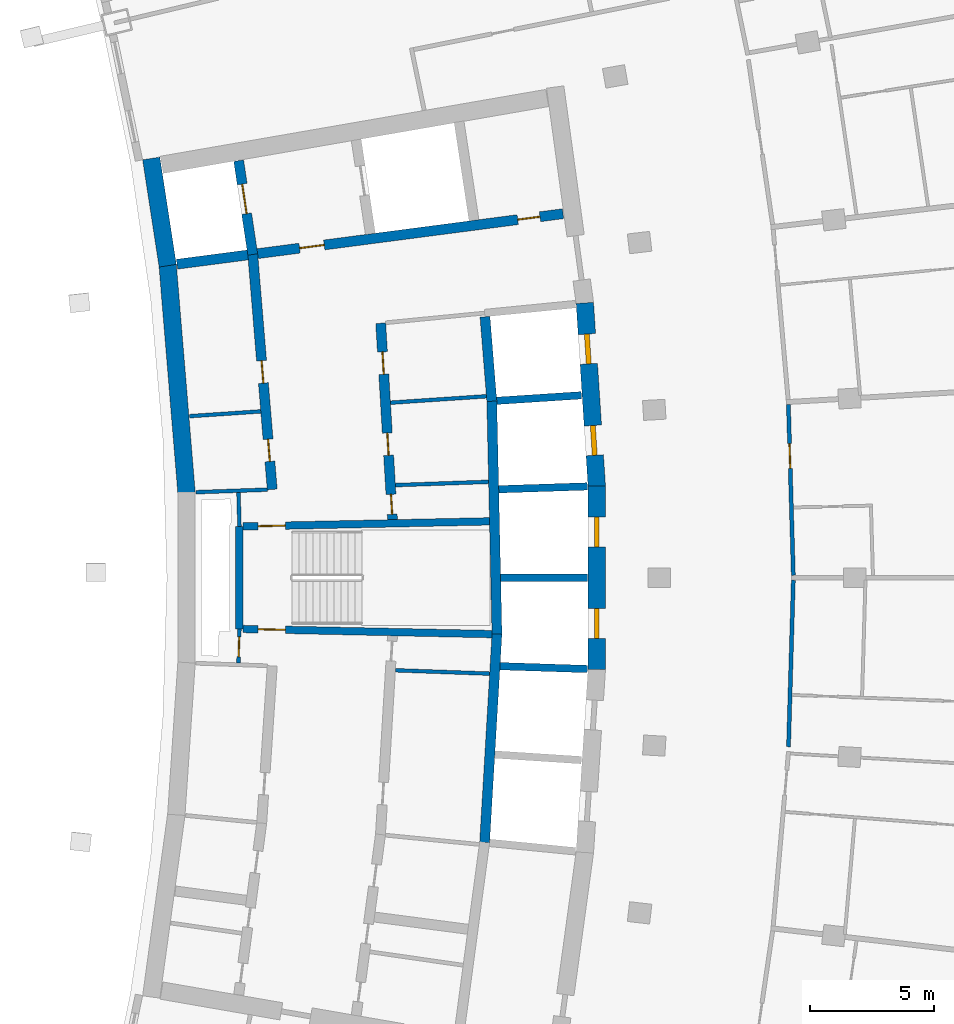
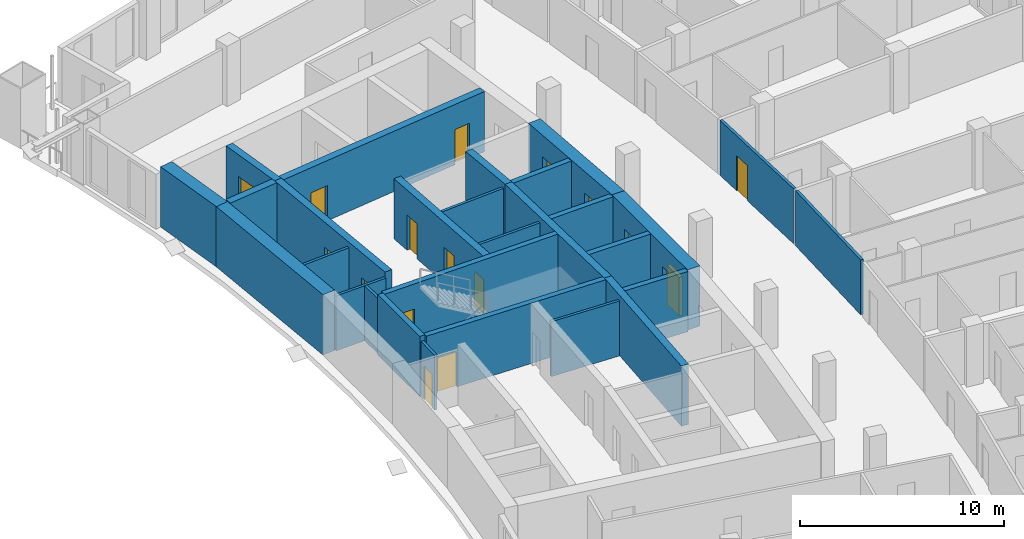
# One storey, part 13 of 20: 28 walls, 16 doors, 16 openings.
"""IFC4 building model written with IfcOpenShell, lengths in metres."""

from ifc_helpers import new_model, si_unit, direction, frame, frame_2d, origin, place, context, subcontext, project, spatial, rectangle, extrude, material, layer, layer_set, type_object, element, fill, save


model = new_model("IFC4")

# Units and contexts
model_context = context("Model", 3, precision=1e-05, world=origin(), true_north=direction((0.0, 1.0)))
body_context = subcontext(model_context, "Body", "Model", "MODEL_VIEW")
ifc_project = project(units=[si_unit("LENGTHUNIT", "METRE"), si_unit("AREAUNIT", "SQUARE_METRE"), si_unit("VOLUMEUNIT", "CUBIC_METRE"), si_unit("PLANEANGLEUNIT", "RADIAN"), si_unit("MASSUNIT", "GRAM", prefix="KILO")], contexts=[model_context])

# Site, building, storey
site_placement = place(None, origin())
site = spatial("IfcSite", under=ifc_project, at=site_placement, CompositionType="ELEMENT")
building_placement = place(site_placement, origin())
building = spatial("IfcBuilding", under=site, at=building_placement, Name="Alderwake Tower", CompositionType="ELEMENT")
storey_placement = place(building_placement, frame((0.0, 0.0, 167.60009765625)))
storey = spatial("IfcBuildingStorey", under=building, at=storey_placement, Name="L41", CompositionType="ELEMENT", Elevation=167.60009765625)

# Walls
ifc_material_1 = material(Name="Gypsum shaft wall system, rated")
ifc_layer_1 = layer(ifc_material_1, 0.14990234375)
ifc_layer_set_1 = layer_set([ifc_layer_1], Name="Core riser partition 150")
wall_type_1 = type_object("IfcWallType", Name="Core riser partition 150", PredefinedType="PARTITIONING", material=ifc_layer_set_1)
wall_1_placement = place(storey_placement, frame((25.1904296875, 57.276611328125, 0.0), z_axis=(0.0, 0.0, 1.0), x_axis=(0.999373547283, -0.03539086028, 0.0)))
element("IfcWall", 1, at=wall_1_placement, inside=storey, type_object=wall_type_1, Name="CW/L41/PR-37_+86", PredefinedType="PARTITIONING", context=body_context, shape_type="SweptSolid", body=[
    extrude(rectangle(XDim=3.794189453125, YDim=0.14990234375, at=frame_2d((1.89697265625, 0.0))), origin(), (0.0, 0.0, 1.0), 3.27978515625),
])
wall_2_placement = place(storey_placement, frame((25.191162109375, 64.723388671875, 0.0), z_axis=(0.0, 0.0, 1.0), x_axis=(0.999373256208, 0.035399078746, 0.0)))
element("IfcWall", 2, at=wall_2_placement, inside=storey, type_object=wall_type_1, Name="CW/L41/PR+37_+86", PredefinedType="PARTITIONING", context=body_context, shape_type="SweptSolid", body=[
    extrude(rectangle(XDim=3.751953125, YDim=0.14990234375, at=frame_2d((1.8759765625, 0.0))), origin(), (0.0, 0.0, 1.0), 3.27978515625),
])

# Wall, opening, door
ifc_material_2 = material(Name="Gypsum shaft wall system, rated")
ifc_layer_2 = layer(ifc_material_2, 0.14990234375)
ifc_layer_set_2 = layer_set([ifc_layer_2], Name="Core room partition 150")
wall_type_2 = type_object("IfcWallType", Name="Core room partition 150", PredefinedType="PARTITIONING", material=ifc_layer_set_2)
wall_3_placement = place(storey_placement, frame((18.918701171875, 58.94384765625, 0.0), z_axis=(0.0, 0.0, 1.0), x_axis=(-0.027811602725, -0.999613182563, 0.0)))
wall_3 = element("IfcWall", 3, at=wall_3_placement, inside=storey, type_object=wall_type_2, Name="CW/L41/PA+24_-37", PredefinedType="PARTITIONING", context=body_context, shape_type="SweptSolid", body=[
    extrude(rectangle(XDim=1.369384765625, YDim=0.14990234375, at=frame_2d((0.6845703125, 0.0))), origin(), (0.0, 0.0, 1.0), 3.27978515625),
])
opening_1_placement = place(wall_3_placement, frame((0.322998046875, 0.0, 0.0)))
opening_1 = element("IfcOpeningElement", 4, at=opening_1_placement, cuts=wall_3, Name="Opening C004", PredefinedType="OPENING", context=body_context, shape_type="SweptSolid", body=[
    extrude(rectangle(XDim=0.800048828125, YDim=2.0, at=frame_2d((0.39990234375, 1.0))), frame((0.0, 0.0849609375, 0.0), z_axis=(0.0, -1.0, 0.0), x_axis=(1.0, 0.0, 0.0)), (0.0, 0.0, 1.0), 0.169921875),
])
ifc_material_3 = material(Name="Painted steel leaf, rated", Category="steel")
door_type_1 = type_object("IfcDoorType", Name="Riser access door 800", OperationType="SINGLE_SWING_LEFT", PredefinedType="DOOR", material=ifc_material_3)
door_1_placement = place(opening_1_placement, origin())
door_1 = element("IfcDoor", 5, at=door_1_placement, inside=storey, type_object=door_type_1, Name="Riser access door", OperationType="SINGLE_SWING_RIGHT", OverallHeight=2.0, OverallWidth=0.800048828125, PredefinedType="DOOR", context=body_context, shape_type="SweptSolid", body=[
    extrude(rectangle(XDim=0.800048828125, YDim=2.0, at=frame_2d((0.39990234375, 1.0))), frame((0.0, 0.02490234375, 0.0), z_axis=(0.0, -1.0, 0.0), x_axis=(1.0, 0.0, 0.0)), (0.0, 0.0, 1.0), 0.050048828125),
])
fill(opening_1, door_1)

# Walls
wall_4_placement = place(storey_placement, frame((18.918701171875, 63.05517578125, 0.0), z_axis=(0.0, 0.0, 1.0), x_axis=(-0.027791791559, 0.99961373356, 0.0)))
element("IfcWall", 6, at=wall_4_placement, inside=storey, type_object=wall_type_2, Name="CW/L41/PA+24_+22", PredefinedType="PARTITIONING", context=body_context, shape_type="SweptSolid", body=[
    extrude(rectangle(XDim=1.370361328125, YDim=0.14990234375, at=frame_2d((0.68505859375, 0.0))), origin(), (0.0, 0.0, 1.0), 3.27978515625),
])
wall_5_placement = place(storey_placement, frame((17.16943359375, 64.439453125, 0.0), z_axis=(0.0, 0.0, 1.0), x_axis=(0.999373431798, 0.035394121201, 0.0)))
element("IfcWall", 7, at=wall_5_placement, inside=storey, type_object=wall_type_2, Name="CW/L41/PR+37_+0", PredefinedType="PARTITIONING", context=body_context, shape_type="SweptSolid", body=[
    extrude(rectangle(XDim=2.869384765625, YDim=0.14990234375, at=frame_2d((1.4345703125, 0.0))), origin(), (0.0, 0.0, 1.0), 3.27978515625),
])
wall_6_placement = place(storey_placement, frame((16.916015625, 67.497314453125, 0.0), z_axis=(0.0, 0.0, 1.0), x_axis=(0.997762488798, 0.066858177867, 0.0)))
element("IfcWall", 8, at=wall_6_placement, inside=storey, type_object=wall_type_2, Name="CW/L41/PR+70_+0", PredefinedType="PARTITIONING", context=body_context, shape_type="SweptSolid", body=[
    extrude(rectangle(XDim=2.866455078125, YDim=0.14990234375, at=frame_2d((1.43310546875, 0.0))), origin(), (0.0, 0.0, 1.0), 3.27978515625),
])
wall_7_placement = place(storey_placement, frame((24.992431640625, 68.038818359375, 0.0), z_axis=(0.0, 0.0, 1.0), x_axis=(0.997760236964, 0.066891774789, 0.0)))
element("IfcWall", 9, at=wall_7_placement, inside=storey, type_object=wall_type_2, Name="CW/L41/PR+70_+86", PredefinedType="PARTITIONING", context=body_context, shape_type="SweptSolid", body=[
    extrude(rectangle(XDim=3.86865234375, YDim=0.14990234375, at=frame_2d((1.934326171875, 0.0))), origin(), (0.0, 0.0, 1.0), 3.27978515625),
])
ifc_material_4 = material(Name="Concrete C70/85", Category="concrete")
ifc_layer_3 = layer(ifc_material_4, 0.699951171875)
ifc_layer_set_3 = layer_set([ifc_layer_3], Name="Core wall outer 700 C70-85")
wall_type_3 = type_object("IfcWallType", Name="Core wall outer 700 C70-85", PredefinedType="SHEAR", material=ifc_layer_set_3)
wall_8_placement = place(storey_placement, frame((16.79052734375, 64.4111328125, 0.0), z_axis=(0.0, 0.0, 1.0), x_axis=(-0.082616907099, 0.996581379849, 0.0)))
element("IfcWall", 10, at=wall_8_placement, inside=storey, type_object=wall_type_3, Name="Core wall CW.040", PredefinedType="SHEAR", context=body_context, shape_type="SweptSolid", body=[
    extrude(rectangle(XDim=9.193359375, YDim=0.699951171875, at=frame_2d((4.5966796875, 0.0))), origin(), (0.0, 0.0, 1.0), 3.599853515625),
])
wall_9_placement = place(storey_placement, frame((16.033935546875, 73.547607421875, 0.0), z_axis=(0.0, 0.0, 1.0), x_axis=(-0.151897483467, 0.988396253795, 0.0)))
element("IfcWall", 11, at=wall_9_placement, inside=storey, type_object=wall_type_3, Name="Core wall CW.039", PredefinedType="SHEAR", context=body_context, shape_type="SweptSolid", body=[
    extrude(rectangle(XDim=4.365234375, YDim=0.699951171875, at=frame_2d((2.1826171875, 0.0))), origin(), (0.0, 0.0, 1.0), 3.599853515625),
])

# Wall, openings, doors
wall_10_placement = place(storey_placement, frame((33.2900390625, 57.30322265625, 0.0), z_axis=(0.0, 0.0, 1.0), x_axis=(0.0, 1.0, 0.0)))
wall_10 = element("IfcWall", 12, at=wall_10_placement, inside=storey, type_object=wall_type_3, Name="Core wall CW.013", PredefinedType="SHEAR", context=body_context, shape_type="SweptSolid", body=[
    extrude(rectangle(XDim=7.3935546875, YDim=0.699951171875, at=frame_2d((3.69677734375, 0.0))), origin(), (0.0, 0.0, 1.0), 3.599853515625),
])
opening_2_placement = place(wall_10_placement, frame((1.254150390625, 0.0, 0.0)))
opening_2 = element("IfcOpeningElement", 13, at=opening_2_placement, cuts=wall_10, Name="Opening LD-HP3", PredefinedType="OPENING", context=body_context, shape_type="SweptSolid", body=[
    extrude(rectangle(XDim=1.199951171875, YDim=2.300048828125, at=frame_2d((0.60009765625, 1.14990234375))), frame((0.0, 0.35986328125, 0.0), z_axis=(0.0, -1.0, 0.0), x_axis=(1.0, 0.0, 0.0)), (0.0, 0.0, 1.0), 0.719970703125),
])
opening_3_placement = place(wall_10_placement, frame((4.939208984375, 0.0, 0.0)))
opening_3 = element("IfcOpeningElement", 14, at=opening_3_placement, cuts=wall_10, Name="Opening LD-HP4", PredefinedType="OPENING", context=body_context, shape_type="SweptSolid", body=[
    extrude(rectangle(XDim=1.199951171875, YDim=2.300048828125, at=frame_2d((0.60009765625, 1.14990234375))), frame((0.0, 0.35986328125, 0.0), z_axis=(0.0, -1.0, 0.0), x_axis=(1.0, 0.0, 0.0)), (0.0, 0.0, 1.0), 0.719970703125),
])
ifc_material_5 = material(Name="Stainless steel sliding leaf", Category="steel")
door_type_2 = type_object("IfcDoorType", Name="Lift landing door 1200", OperationType="SLIDING_TO_LEFT", PredefinedType="DOOR", material=ifc_material_5)
door_2_placement = place(opening_2_placement, origin())
door_2 = element("IfcDoor", 15, at=door_2_placement, inside=storey, type_object=door_type_2, Name="Lift landing door HP3", OperationType="SLIDING_TO_LEFT", OverallHeight=2.300048828125, OverallWidth=1.199951171875, PredefinedType="DOOR", context=body_context, shape_type="SweptSolid", body=[
    extrude(rectangle(XDim=1.199951171875, YDim=2.300048828125, at=frame_2d((0.60009765625, 1.14990234375))), frame((0.0, 0.10009765625, 0.0), z_axis=(0.0, -1.0, 0.0), x_axis=(1.0, 0.0, 0.0)), (0.0, 0.0, 1.0), 0.199951171875),
])
fill(opening_2, door_2)
door_3_placement = place(opening_3_placement, origin())
door_3 = element("IfcDoor", 16, at=door_3_placement, inside=storey, type_object=door_type_2, Name="Lift landing door HP4", OperationType="SLIDING_TO_LEFT", OverallHeight=2.300048828125, OverallWidth=1.199951171875, PredefinedType="DOOR", context=body_context, shape_type="SweptSolid", body=[
    extrude(rectangle(XDim=1.199951171875, YDim=2.300048828125, at=frame_2d((0.60009765625, 1.14990234375))), frame((0.0, 0.10009765625, 0.0), z_axis=(0.0, -1.0, 0.0), x_axis=(1.0, 0.0, 0.0)), (0.0, 0.0, 1.0), 0.199951171875),
])
fill(opening_3, door_3)

wall_11_placement = place(storey_placement, frame((33.291015625, 64.6728515625, 0.0), z_axis=(0.0, 0.0, 1.0), x_axis=(-0.065009096017, 0.99788467141, 0.0)))
wall_11 = element("IfcWall", 17, at=wall_11_placement, inside=storey, type_object=wall_type_3, Name="Core wall CW.010", PredefinedType="SHEAR", context=body_context, shape_type="SweptSolid", body=[
    extrude(rectangle(XDim=7.39453125, YDim=0.699951171875, at=frame_2d((3.697265625, 0.0))), origin(), (0.0, 0.0, 1.0), 3.599853515625),
])
opening_4_placement = place(wall_11_placement, frame((1.25390625, 0.0, 0.0)))
opening_4 = element("IfcOpeningElement", 18, at=opening_4_placement, cuts=wall_11, Name="Opening LD-HP5", PredefinedType="OPENING", context=body_context, shape_type="SweptSolid", body=[
    extrude(rectangle(XDim=1.199951171875, YDim=2.300048828125, at=frame_2d((0.60009765625, 1.14990234375))), frame((0.0, 0.35986328125, 0.0), z_axis=(0.0, -1.0, 0.0), x_axis=(1.0, 0.0, 0.0)), (0.0, 0.0, 1.0), 0.719970703125),
])
opening_5_placement = place(wall_11_placement, frame((4.939208984375, 0.0, 0.0)))
opening_5 = element("IfcOpeningElement", 19, at=opening_5_placement, cuts=wall_11, Name="Opening LD-HP6", PredefinedType="OPENING", context=body_context, shape_type="SweptSolid", body=[
    extrude(rectangle(XDim=1.199951171875, YDim=2.300048828125, at=frame_2d((0.60009765625, 1.14990234375))), frame((0.0, 0.35986328125, 0.0), z_axis=(0.0, -1.0, 0.0), x_axis=(1.0, 0.0, 0.0)), (0.0, 0.0, 1.0), 0.719970703125),
])
door_4_placement = place(opening_4_placement, origin())
door_4 = element("IfcDoor", 20, at=door_4_placement, inside=storey, type_object=door_type_2, Name="Lift landing door HP5", OperationType="SLIDING_TO_LEFT", OverallHeight=2.300048828125, OverallWidth=1.199951171875, PredefinedType="DOOR", context=body_context, shape_type="SweptSolid", body=[
    extrude(rectangle(XDim=1.199951171875, YDim=2.300048828125, at=frame_2d((0.60009765625, 1.14990234375))), frame((0.0, 0.10009765625, 0.0), z_axis=(0.0, -1.0, 0.0), x_axis=(1.0, 0.0, 0.0)), (0.0, 0.0, 1.0), 0.199951171875),
])
fill(opening_4, door_4)
door_5_placement = place(opening_5_placement, origin())
door_5 = element("IfcDoor", 21, at=door_5_placement, inside=storey, type_object=door_type_2, Name="Lift landing door HP6", OperationType="SLIDING_TO_LEFT", OverallHeight=2.300048828125, OverallWidth=1.199951171875, PredefinedType="DOOR", context=body_context, shape_type="SweptSolid", body=[
    extrude(rectangle(XDim=1.199951171875, YDim=2.300048828125, at=frame_2d((0.60009765625, 1.14990234375))), frame((0.0, 0.10009765625, 0.0), z_axis=(0.0, -1.0, 0.0), x_axis=(1.0, 0.0, 0.0)), (0.0, 0.0, 1.0), 0.199951171875),
])
fill(opening_5, door_5)

# Walls
ifc_material_6 = material(Name="Concrete C70/85", Category="concrete")
ifc_layer_4 = layer(ifc_material_6, 0.300048828125)
ifc_layer_set_4 = layer_set([ifc_layer_4], Name="Core wall shaft 300 C70-85")
wall_type_4 = type_object("IfcWallType", Name="Core wall shaft 300 C70-85", PredefinedType="SHEAR", material=ifc_layer_set_4)
wall_12_placement = place(storey_placement, frame((29.400634765625, 57.441650390625, 0.0), z_axis=(0.0, 0.0, 1.0), x_axis=(0.999472716164, -0.032469826675, 0.0)))
element("IfcWall", 22, at=wall_12_placement, inside=storey, type_object=wall_type_4, Name="Core wall CW.075", PredefinedType="SHEAR", context=body_context, shape_type="SweptSolid", body=[
    extrude(rectangle(XDim=3.511474609375, YDim=0.300048828125, at=frame_2d((1.755859375, 0.0))), origin(), (0.0, 0.0, 1.0), 3.599853515625),
])
wall_13_placement = place(storey_placement, frame((29.426025390625, 61.0, 0.0), z_axis=(0.0, 0.0, 1.0), x_axis=(1.0, 0.0, 0.0)))
element("IfcWall", 23, at=wall_13_placement, inside=storey, type_object=wall_type_4, Name="Core wall CW.048", PredefinedType="SHEAR", context=body_context, shape_type="SweptSolid", body=[
    extrude(rectangle(XDim=3.484130859375, YDim=0.300048828125, at=frame_2d((1.7421875, 0.0))), origin(), (0.0, 0.0, 1.0), 3.599853515625),
])
wall_14_placement = place(storey_placement, frame((29.347412109375, 64.556396484375, 0.0), z_axis=(0.0, 0.0, 1.0), x_axis=(0.999470674121, 0.03253262319, 0.0)))
element("IfcWall", 24, at=wall_14_placement, inside=storey, type_object=wall_type_4, Name="Core wall CW.058", PredefinedType="SHEAR", context=body_context, shape_type="SweptSolid", body=[
    extrude(rectangle(XDim=3.564697265625, YDim=0.300048828125, at=frame_2d((1.7822265625, 0.0))), origin(), (0.0, 0.0, 1.0), 3.599853515625),
])
wall_15_placement = place(storey_placement, frame((29.268798828125, 68.115478515625, 0.0), z_axis=(0.0, 0.0, 1.0), x_axis=(0.997884450261, 0.065012490553, 0.0)))
element("IfcWall", 25, at=wall_15_placement, inside=storey, type_object=wall_type_4, Name="Core wall CW.061", PredefinedType="SHEAR", context=body_context, shape_type="SweptSolid", body=[
    extrude(rectangle(XDim=3.409912109375, YDim=0.300048828125, at=frame_2d((1.705078125, 0.0))), origin(), (0.0, 0.0, 1.0), 3.599853515625),
])

# Wall, openings, doors
ifc_material_7 = material(Name="Concrete C70/85", Category="concrete")
ifc_layer_5 = layer(ifc_material_7, 0.39990234375)
ifc_layer_set_5 = layer_set([ifc_layer_5], Name="Core wall spine 400 C70-85")
wall_type_5 = type_object("IfcWallType", Name="Core wall spine 400 C70-85", PredefinedType="SHEAR", material=ifc_layer_set_5)
wall_16_placement = place(storey_placement, frame((19.452392578125, 74.014892578125, 0.0), z_axis=(0.0, 0.0, 1.0), x_axis=(0.082628585297, -0.996580411654, 0.0)))
wall_16 = element("IfcWall", 26, at=wall_16_placement, inside=storey, type_object=wall_type_5, Name="Core wall CW.031", PredefinedType="SHEAR", context=body_context, shape_type="SweptSolid", body=[
    extrude(rectangle(XDim=9.499267578125, YDim=0.39990234375, at=frame_2d((4.74951171875, 0.0))), origin(), (0.0, 0.0, 1.0), 3.599853515625),
])
opening_6_placement = place(wall_16_placement, frame((7.4677734375, 0.0, 0.0)))
opening_6 = element("IfcOpeningElement", 27, at=opening_6_placement, cuts=wall_16, Name="Opening C053", PredefinedType="OPENING", context=body_context, shape_type="SweptSolid", body=[
    extrude(rectangle(XDim=0.89990234375, YDim=2.10009765625, at=frame_2d((0.449951171875, 1.050048828125))), frame((0.0, 0.2099609375, 0.0), z_axis=(0.0, -1.0, 0.0), x_axis=(1.0, 0.0, 0.0)), (0.0, 0.0, 1.0), 0.419921875),
])
opening_7_placement = place(wall_16_placement, frame((4.302978515625, 0.0, 0.0)))
opening_7 = element("IfcOpeningElement", 28, at=opening_7_placement, cuts=wall_16, Name="Opening C054", PredefinedType="OPENING", context=body_context, shape_type="SweptSolid", body=[
    extrude(rectangle(XDim=0.89990234375, YDim=2.10009765625, at=frame_2d((0.449951171875, 1.050048828125))), frame((0.0, 0.2099609375, 0.0), z_axis=(0.0, -1.0, 0.0), x_axis=(1.0, 0.0, 0.0)), (0.0, 0.0, 1.0), 0.419921875),
])
ifc_material_8 = material(Name="Painted steel leaf", Category="steel")
door_type_3 = type_object("IfcDoorType", Name="Core room door 900", OperationType="SINGLE_SWING_LEFT", PredefinedType="DOOR", material=ifc_material_8)
door_6_placement = place(opening_6_placement, origin())
door_6 = element("IfcDoor", 29, at=door_6_placement, inside=storey, type_object=door_type_3, Name="Room door", OperationType="SINGLE_SWING_LEFT", OverallHeight=2.10009765625, OverallWidth=0.89990234375, PredefinedType="DOOR", context=body_context, shape_type="SweptSolid", body=[
    extrude(rectangle(XDim=0.89990234375, YDim=2.10009765625, at=frame_2d((0.449951171875, 1.050048828125))), frame((0.0, 0.02490234375, 0.0), z_axis=(0.0, -1.0, 0.0), x_axis=(1.0, 0.0, 0.0)), (0.0, 0.0, 1.0), 0.050048828125),
])
fill(opening_6, door_6)
door_7_placement = place(opening_7_placement, origin())
door_7 = element("IfcDoor", 30, at=door_7_placement, inside=storey, type_object=door_type_3, Name="Room door", OperationType="SINGLE_SWING_RIGHT", OverallHeight=2.10009765625, OverallWidth=0.89990234375, PredefinedType="DOOR", context=body_context, shape_type="SweptSolid", body=[
    extrude(rectangle(XDim=0.89990234375, YDim=2.10009765625, at=frame_2d((0.449951171875, 1.050048828125))), frame((0.0, 0.02490234375, 0.0), z_axis=(0.0, -1.0, 0.0), x_axis=(1.0, 0.0, 0.0)), (0.0, 0.0, 1.0), 0.050048828125),
])
fill(opening_7, door_7)

# Wall, opening, door
wall_17_placement = place(storey_placement, frame((19.4541015625, 74.000732421875, 0.0), z_axis=(0.0, 0.0, 1.0), x_axis=(-0.148540738889, 0.988906289236, 0.0)))
wall_17 = element("IfcWall", 31, at=wall_17_placement, inside=storey, type_object=wall_type_5, Name="Core wall CW.030", PredefinedType="SHEAR", context=body_context, shape_type="SweptSolid", body=[
    extrude(rectangle(XDim=3.814697265625, YDim=0.39990234375, at=frame_2d((1.9072265625, 0.0))), origin(), (0.0, 0.0, 1.0), 3.599853515625),
])
opening_8_placement = place(wall_17_placement, frame((1.660888671875, 0.0, 0.0)))
opening_8 = element("IfcOpeningElement", 32, at=opening_8_placement, cuts=wall_17, Name="Opening LD-FF1", PredefinedType="OPENING", context=body_context, shape_type="SweptSolid", body=[
    extrude(rectangle(XDim=1.199951171875, YDim=2.300048828125, at=frame_2d((0.60009765625, 1.14990234375))), frame((0.0, 0.2099609375, 0.0), z_axis=(0.0, -1.0, 0.0), x_axis=(1.0, 0.0, 0.0)), (0.0, 0.0, 1.0), 0.419921875),
])
door_8_placement = place(opening_8_placement, origin())
door_8 = element("IfcDoor", 33, at=door_8_placement, inside=storey, type_object=door_type_2, Name="Lift landing door FF1", OperationType="SLIDING_TO_LEFT", OverallHeight=2.300048828125, OverallWidth=1.199951171875, PredefinedType="DOOR", context=body_context, shape_type="SweptSolid", body=[
    extrude(rectangle(XDim=1.199951171875, YDim=2.300048828125, at=frame_2d((0.60009765625, 1.14990234375))), frame((0.0, 0.02490234375, 0.0), z_axis=(0.0, -1.0, 0.0), x_axis=(1.0, 0.0, 0.0)), (0.0, 0.0, 1.0), 0.050048828125),
])
fill(opening_8, door_8)

# Wall, openings, doors
wall_18_placement = place(storey_placement, frame((25.073974609375, 63.335693359375, 0.0), z_axis=(0.0, 0.0, 1.0), x_axis=(-0.059848641072, 0.998207463487, 0.0)))
wall_18 = element("IfcWall", 34, at=wall_18_placement, inside=storey, type_object=wall_type_5, Name="Core wall CW.045", PredefinedType="SHEAR", context=body_context, shape_type="SweptSolid", body=[
    extrude(rectangle(XDim=7.913818359375, YDim=0.39990234375, at=frame_2d((3.95703125, 0.0))), origin(), (0.0, 0.0, 1.0), 3.599853515625),
])
opening_9_placement = place(wall_18_placement, frame((0.216064453125, 0.0, 0.0)))
opening_9 = element("IfcOpeningElement", 35, at=opening_9_placement, cuts=wall_18, Name="Opening C005", PredefinedType="OPENING", context=body_context, shape_type="SweptSolid", body=[
    extrude(rectangle(XDim=0.800048828125, YDim=2.0, at=frame_2d((0.39990234375, 1.0))), frame((0.0, 0.2099609375, 0.0), z_axis=(0.0, -1.0, 0.0), x_axis=(1.0, 0.0, 0.0)), (0.0, 0.0, 1.0), 0.419921875),
])
opening_10_placement = place(wall_18_placement, frame((5.856201171875, 0.0, 0.0)))
opening_10 = element("IfcOpeningElement", 36, at=opening_10_placement, cuts=wall_18, Name="Opening C023", PredefinedType="OPENING", context=body_context, shape_type="SweptSolid", body=[
    extrude(rectangle(XDim=0.89990234375, YDim=2.10009765625, at=frame_2d((0.449951171875, 1.050048828125))), frame((0.0, 0.2099609375, 0.0), z_axis=(0.0, -1.0, 0.0), x_axis=(1.0, 0.0, 0.0)), (0.0, 0.0, 1.0), 0.419921875),
])
opening_11_placement = place(wall_18_placement, frame((2.590087890625, 0.0, 0.0)))
opening_11 = element("IfcOpeningElement", 37, at=opening_11_placement, cuts=wall_18, Name="Opening C059", PredefinedType="OPENING", context=body_context, shape_type="SweptSolid", body=[
    extrude(rectangle(XDim=0.89990234375, YDim=2.10009765625, at=frame_2d((0.449951171875, 1.050048828125))), frame((0.0, 0.2099609375, 0.0), z_axis=(0.0, -1.0, 0.0), x_axis=(1.0, 0.0, 0.0)), (0.0, 0.0, 1.0), 0.419921875),
])
door_9_placement = place(opening_10_placement, origin())
door_9 = element("IfcDoor", 38, at=door_9_placement, inside=storey, type_object=door_type_3, Name="Room door", OperationType="SINGLE_SWING_RIGHT", OverallHeight=2.10009765625, OverallWidth=0.89990234375, PredefinedType="DOOR", context=body_context, shape_type="SweptSolid", body=[
    extrude(rectangle(XDim=0.89990234375, YDim=2.10009765625, at=frame_2d((0.449951171875, 1.050048828125))), frame((0.0, 0.02490234375, 0.0), z_axis=(0.0, -1.0, 0.0), x_axis=(1.0, 0.0, 0.0)), (0.0, 0.0, 1.0), 0.050048828125),
])
fill(opening_10, door_9)
door_10_placement = place(opening_11_placement, origin())
door_10 = element("IfcDoor", 39, at=door_10_placement, inside=storey, type_object=door_type_3, Name="Room door", OperationType="SINGLE_SWING_LEFT", OverallHeight=2.10009765625, OverallWidth=0.89990234375, PredefinedType="DOOR", context=body_context, shape_type="SweptSolid", body=[
    extrude(rectangle(XDim=0.89990234375, YDim=2.10009765625, at=frame_2d((0.449951171875, 1.050048828125))), frame((0.0, 0.02490234375, 0.0), z_axis=(0.0, -1.0, 0.0), x_axis=(1.0, 0.0, 0.0)), (0.0, 0.0, 1.0), 0.050048828125),
])
fill(opening_11, door_10)
door_11_placement = place(opening_9_placement, origin())
door_11 = element("IfcDoor", 40, at=door_11_placement, inside=storey, type_object=door_type_1, Name="Riser access door", OperationType="SINGLE_SWING_LEFT", OverallHeight=2.0, OverallWidth=0.800048828125, PredefinedType="DOOR", context=body_context, shape_type="SweptSolid", body=[
    extrude(rectangle(XDim=0.800048828125, YDim=2.0, at=frame_2d((0.39990234375, 1.0))), frame((0.0, 0.02490234375, 0.0), z_axis=(0.0, -1.0, 0.0), x_axis=(1.0, 0.0, 0.0)), (0.0, 0.0, 1.0), 0.050048828125),
])
fill(opening_9, door_11)

# Walls
wall_19_placement = place(storey_placement, frame((28.780029296875, 50.347900390625, 0.0), z_axis=(0.0, 0.0, 1.0), x_axis=(0.059130817733, 0.998250242371, 0.0)))
element("IfcWall", 41, at=wall_19_placement, inside=storey, type_object=wall_type_5, Name="Core wall CW.004", PredefinedType="SHEAR", context=body_context, shape_type="SweptSolid", body=[
    extrude(rectangle(XDim=8.402099609375, YDim=0.39990234375, at=frame_2d((4.201171875, 0.0))), origin(), (0.0, 0.0, 1.0), 3.599853515625),
])
wall_20_placement = place(storey_placement, frame((29.276611328125, 58.71826171875, 0.0), z_axis=(0.0, 0.0, 1.0), x_axis=(-0.022119171053, 0.999755341207, 0.0)))
element("IfcWall", 42, at=wall_20_placement, inside=storey, type_object=wall_type_5, Name="Core wall CW.007", PredefinedType="SHEAR", context=body_context, shape_type="SweptSolid", body=[
    extrude(rectangle(XDim=9.392822265625, YDim=0.39990234375, at=frame_2d((4.6962890625, 0.0))), origin(), (0.0, 0.0, 1.0), 3.599853515625),
])
wall_21_placement = place(storey_placement, frame((29.069580078125, 68.09619140625, 0.0), z_axis=(0.0, 0.0, 1.0), x_axis=(-0.080544811251, 0.996750988653, 0.0)))
element("IfcWall", 43, at=wall_21_placement, inside=storey, type_object=wall_type_5, Name="Core wall CW.003", PredefinedType="SHEAR", context=body_context, shape_type="SweptSolid", body=[
    extrude(rectangle(XDim=3.409912109375, YDim=0.39990234375, at=frame_2d((1.705078125, 0.0))), origin(), (0.0, 0.0, 1.0), 3.599853515625),
])
wall_22_placement = place(storey_placement, frame((16.4091796875, 73.609619140625, 0.0), z_axis=(0.0, 0.0, 1.0), x_axis=(0.991557657486, 0.129666541102, 0.0)))
element("IfcWall", 44, at=wall_22_placement, inside=storey, type_object=wall_type_5, Name="Core wall CW.051", PredefinedType="SHEAR", context=body_context, shape_type="SweptSolid", body=[
    extrude(rectangle(XDim=2.869384765625, YDim=0.39990234375, at=frame_2d((1.4345703125, 0.0))), origin(), (0.0, 0.0, 1.0), 3.599853515625),
])

# Wall, openings, doors
wall_23_placement = place(storey_placement, frame((31.933837890625, 75.64013671875, 0.0), z_axis=(0.0, 0.0, 1.0), x_axis=(-0.991554628634, -0.129689700573, 0.0)))
wall_23 = element("IfcWall", 45, at=wall_23_placement, inside=storey, type_object=wall_type_5, Name="Core wall CW.052", PredefinedType="SHEAR", context=body_context, shape_type="SweptSolid", body=[
    extrude(rectangle(XDim=12.38671875, YDim=0.39990234375, at=frame_2d((6.193359375, 0.0))), origin(), (0.0, 0.0, 1.0), 3.599853515625),
])
opening_12_placement = place(wall_23_placement, frame((9.687255859375, 0.0, 0.0)))
opening_12 = element("IfcOpeningElement", 46, at=opening_12_placement, cuts=wall_23, Name="Opening C002", PredefinedType="OPENING", context=body_context, shape_type="SweptSolid", body=[
    extrude(rectangle(XDim=1.0, YDim=2.10009765625, at=frame_2d((0.5, 1.050048828125))), frame((0.0, 0.2099609375, 0.0), z_axis=(0.0, -1.0, 0.0), x_axis=(1.0, 0.0, 0.0)), (0.0, 0.0, 1.0), 0.419921875),
])
opening_13_placement = place(wall_23_placement, frame((0.937255859375, 0.0, 0.0)))
opening_13 = element("IfcOpeningElement", 47, at=opening_13_placement, cuts=wall_23, Name="Opening C020", PredefinedType="OPENING", context=body_context, shape_type="SweptSolid", body=[
    extrude(rectangle(XDim=0.89990234375, YDim=2.10009765625, at=frame_2d((0.449951171875, 1.050048828125))), frame((0.0, 0.2099609375, 0.0), z_axis=(0.0, -1.0, 0.0), x_axis=(1.0, 0.0, 0.0)), (0.0, 0.0, 1.0), 0.419921875),
])
door_12_placement = place(opening_13_placement, origin())
door_12 = element("IfcDoor", 48, at=door_12_placement, inside=storey, type_object=door_type_3, Name="Room door", OperationType="SINGLE_SWING_LEFT", OverallHeight=2.10009765625, OverallWidth=0.89990234375, PredefinedType="DOOR", context=body_context, shape_type="SweptSolid", body=[
    extrude(rectangle(XDim=0.89990234375, YDim=2.10009765625, at=frame_2d((0.449951171875, 1.050048828125))), frame((0.0, 0.02490234375, 0.0), z_axis=(0.0, -1.0, 0.0), x_axis=(1.0, 0.0, 0.0)), (0.0, 0.0, 1.0), 0.050048828125),
])
fill(opening_13, door_12)
ifc_material_9 = material(Name="Steel-framed fire door leaf", Category="steel")
door_type_4 = type_object("IfcDoorType", Name="Firefighting lobby door 1000 fire-rated", OperationType="SINGLE_SWING_LEFT", PredefinedType="DOOR", material=ifc_material_9)
door_13_placement = place(opening_12_placement, origin())
door_13 = element("IfcDoor", 49, at=door_13_placement, inside=storey, type_object=door_type_4, Name="Firefighting lobby door", OperationType="SINGLE_SWING_RIGHT", OverallHeight=2.10009765625, OverallWidth=1.0, PredefinedType="DOOR", context=body_context, shape_type="SweptSolid", body=[
    extrude(rectangle(XDim=1.0, YDim=2.10009765625, at=frame_2d((0.5, 1.050048828125))), frame((0.0, 0.02490234375, 0.0), z_axis=(0.0, -1.0, 0.0), x_axis=(1.0, 0.0, 0.0)), (0.0, 0.0, 1.0), 0.050048828125),
])
fill(opening_12, door_13)

# Wall
ifc_material_10 = material(Name="Concrete C70/85", Category="concrete")
ifc_layer_6 = layer(ifc_material_10, 0.300048828125)
ifc_layer_set_6 = layer_set([ifc_layer_6], Name="Core wall stair enclosure 300 C70-85")
wall_type_6 = type_object("IfcWallType", Name="Core wall stair enclosure 300 C70-85", PredefinedType="SHEAR", material=ifc_layer_set_6)
wall_24_placement = place(storey_placement, frame((18.918701171875, 58.940673828125, 0.0), z_axis=(0.0, 0.0, 1.0), x_axis=(0.0, 1.0, 0.0)))
element("IfcWall", 50, at=wall_24_placement, inside=storey, type_object=wall_type_6, Name="Core wall CW.024", PredefinedType="SHEAR", context=body_context, shape_type="SweptSolid", body=[
    extrude(rectangle(XDim=4.11962890625, YDim=0.300048828125, at=frame_2d((2.059814453125, 0.0))), origin(), (0.0, 0.0, 1.0), 3.599853515625),
])

# Wall, opening, door
wall_25_placement = place(storey_placement, frame((29.076416015625, 58.73095703125, 0.0), z_axis=(0.0, 0.0, 1.0), x_axis=(-0.99978356433, 0.020804434533, 0.0)))
wall_25 = element("IfcWall", 51, at=wall_25_placement, inside=storey, type_object=wall_type_6, Name="Core wall CW.074", PredefinedType="SHEAR", context=body_context, shape_type="SweptSolid", body=[
    extrude(rectangle(XDim=10.010009765625, YDim=0.300048828125, at=frame_2d((5.0048828125, 0.0))), origin(), (0.0, 0.0, 1.0), 3.599853515625),
])
opening_14_placement = place(wall_25_placement, frame((8.309814453125, 0.0, 0.0)))
opening_14 = element("IfcOpeningElement", 52, at=opening_14_placement, cuts=wall_25, Name="Opening C063", PredefinedType="OPENING", context=body_context, shape_type="SweptSolid", body=[
    extrude(rectangle(XDim=1.10009765625, YDim=2.10009765625, at=frame_2d((0.550048828125, 1.050048828125))), frame((0.0, 0.159912109375, 0.0), z_axis=(0.0, -1.0, 0.0), x_axis=(1.0, 0.0, 0.0)), (0.0, 0.0, 1.0), 0.320068359375),
])
ifc_material_11 = material(Name="Steel-framed fire door leaf", Category="steel")
door_type_5 = type_object("IfcDoorType", Name="Core stair door 1100 fire-rated", OperationType="SINGLE_SWING_LEFT", PredefinedType="DOOR", material=ifc_material_11)
door_14_placement = place(opening_14_placement, origin())
door_14 = element("IfcDoor", 53, at=door_14_placement, inside=storey, type_object=door_type_5, Name="Stair door", OperationType="SINGLE_SWING_RIGHT", OverallHeight=2.10009765625, OverallWidth=1.10009765625, PredefinedType="DOOR", context=body_context, shape_type="SweptSolid", body=[
    extrude(rectangle(XDim=1.10009765625, YDim=2.10009765625, at=frame_2d((0.550048828125, 1.050048828125))), frame((0.0, 0.02490234375, 0.0), z_axis=(0.0, -1.0, 0.0), x_axis=(1.0, 0.0, 0.0)), (0.0, 0.0, 1.0), 0.050048828125),
])
fill(opening_14, door_14)

wall_26_placement = place(storey_placement, frame((19.068603515625, 63.060791015625, 0.0), z_axis=(0.0, 0.0, 1.0), x_axis=(0.999783782948, 0.020793925895, 0.0)))
wall_26 = element("IfcWall", 54, at=wall_26_placement, inside=storey, type_object=wall_type_6, Name="Core wall CW.057", PredefinedType="SHEAR", context=body_context, shape_type="SweptSolid", body=[
    extrude(rectangle(XDim=9.909423828125, YDim=0.300048828125, at=frame_2d((4.95458984375, 0.0))), origin(), (0.0, 0.0, 1.0), 3.599853515625),
])
opening_15_placement = place(wall_26_placement, frame((0.60009765625, 0.0, 0.0)))
opening_15 = element("IfcOpeningElement", 55, at=opening_15_placement, cuts=wall_26, Name="Opening C064", PredefinedType="OPENING", context=body_context, shape_type="SweptSolid", body=[
    extrude(rectangle(XDim=1.10009765625, YDim=2.10009765625, at=frame_2d((0.550048828125, 1.050048828125))), frame((0.0, 0.159912109375, 0.0), z_axis=(0.0, -1.0, 0.0), x_axis=(1.0, 0.0, 0.0)), (0.0, 0.0, 1.0), 0.320068359375),
])
door_15_placement = place(opening_15_placement, origin())
door_15 = element("IfcDoor", 56, at=door_15_placement, inside=storey, type_object=door_type_5, Name="Stair door", OperationType="SINGLE_SWING_LEFT", OverallHeight=2.10009765625, OverallWidth=1.10009765625, PredefinedType="DOOR", context=body_context, shape_type="SweptSolid", body=[
    extrude(rectangle(XDim=1.10009765625, YDim=2.10009765625, at=frame_2d((0.550048828125, 1.050048828125))), frame((0.0, 0.02490234375, 0.0), z_axis=(0.0, -1.0, 0.0), x_axis=(1.0, 0.0, 0.0)), (0.0, 0.0, 1.0), 0.050048828125),
])
fill(opening_15, door_15)

# Wall
ifc_material_12 = material(Name="Gypsum board on metal studs, rated")
ifc_layer_7 = layer(ifc_material_12, 0.159912109375)
ifc_layer_set_7 = layer_set([ifc_layer_7], Name="Corridor wall 160")
wall_type_7 = type_object("IfcWallType", Name="Corridor wall 160", PredefinedType="PARTITIONING", material=ifc_layer_set_7)
wall_27_placement = place(storey_placement, frame((41.002685546875, 54.20068359375, 0.0), z_axis=(0.0, 0.0, 1.0), x_axis=(0.028855161601, 0.999583603131, 0.0)))
element("IfcWall", 57, at=wall_27_placement, inside=storey, type_object=wall_type_7, Name="WL/L41/W25", PredefinedType="PARTITIONING", context=body_context, shape_type="SweptSolid", body=[
    extrude(rectangle(XDim=6.700927734375, YDim=0.159912109375, at=frame_2d((3.3505859375, 0.0))), origin(), (0.0, 0.0, 1.0), 3.27978515625),
])

# Wall, opening, door
wall_28_placement = place(storey_placement, frame((40.997802734375, 67.967041015625, 0.0), z_axis=(0.0, 0.0, 1.0), x_axis=(0.028852935833, -0.99958366738, 0.0)))
wall_28 = element("IfcWall", 58, at=wall_28_placement, inside=storey, type_object=wall_type_7, Name="WL/L41/W27", PredefinedType="PARTITIONING", context=body_context, shape_type="SweptSolid", body=[
    extrude(rectangle(XDim=6.870849609375, YDim=0.159912109375, at=frame_2d((3.435546875, 0.0))), origin(), (0.0, 0.0, 1.0), 3.27978515625),
])
opening_16_placement = place(wall_28_placement, frame((1.5712890625, 0.0, 0.0)))
opening_16 = element("IfcOpeningElement", 59, at=opening_16_placement, cuts=wall_28, Name="Opening R11-U06.1", PredefinedType="OPENING", context=body_context, shape_type="SweptSolid", body=[
    extrude(rectangle(XDim=1.0, YDim=2.10009765625, at=frame_2d((0.5, 1.050048828125))), frame((0.0, 0.08984375, 0.0), z_axis=(0.0, -1.0, 0.0), x_axis=(1.0, 0.0, 0.0)), (0.0, 0.0, 1.0), 0.179931640625),
])
ifc_material_13 = material(Name="Solid timber leaf in steel frame", Category="steel")
door_type_6 = type_object("IfcDoorType", Name="Flat entrance door 1000 fire-rated", OperationType="SINGLE_SWING_LEFT", PredefinedType="DOOR", material=ifc_material_13)
door_16_placement = place(opening_16_placement, origin())
door_16 = element("IfcDoor", 60, at=door_16_placement, inside=storey, type_object=door_type_6, Name="DR/L41/U06.1", OperationType="SINGLE_SWING_LEFT", OverallHeight=2.10009765625, OverallWidth=1.0, PredefinedType="DOOR", context=body_context, shape_type="SweptSolid", body=[
    extrude(rectangle(XDim=1.0, YDim=2.10009765625, at=frame_2d((0.5, 1.050048828125))), frame((0.0, 0.02490234375, 0.0), z_axis=(0.0, -1.0, 0.0), x_axis=(1.0, 0.0, 0.0)), (0.0, 0.0, 1.0), 0.050048828125),
])
fill(opening_16, door_16)

save(model, "model.ifc")
